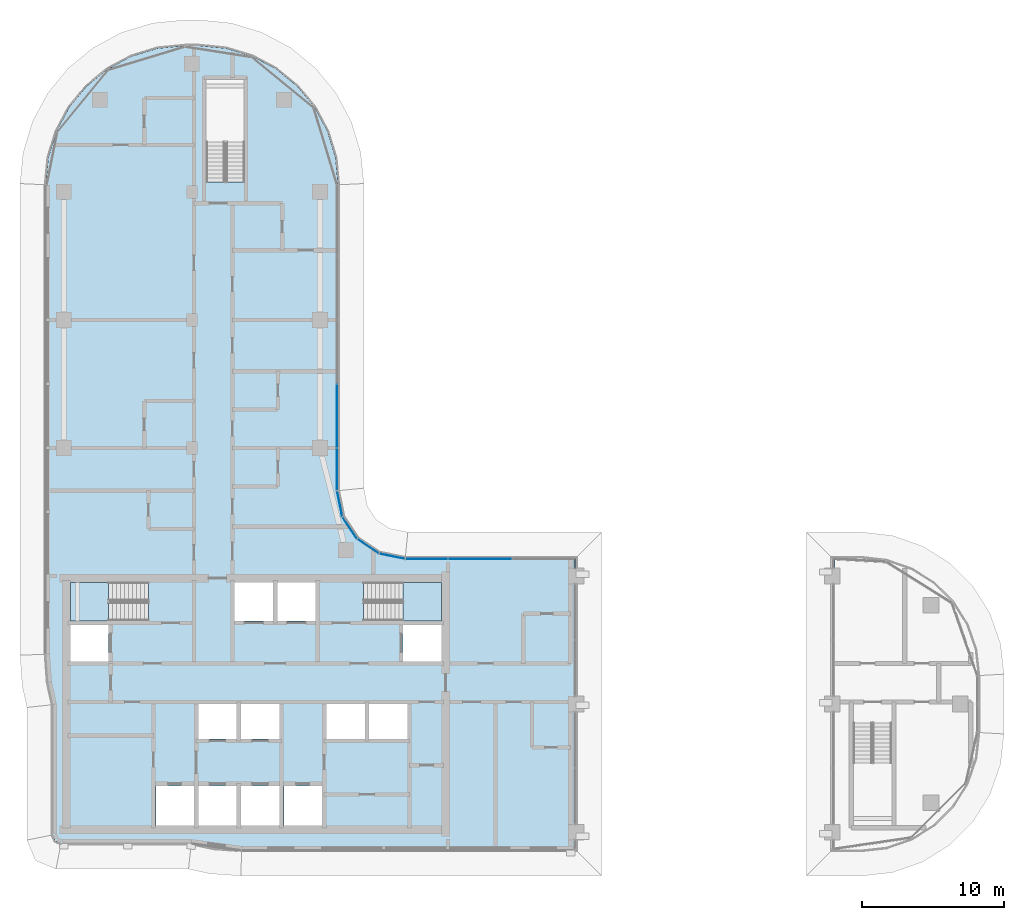
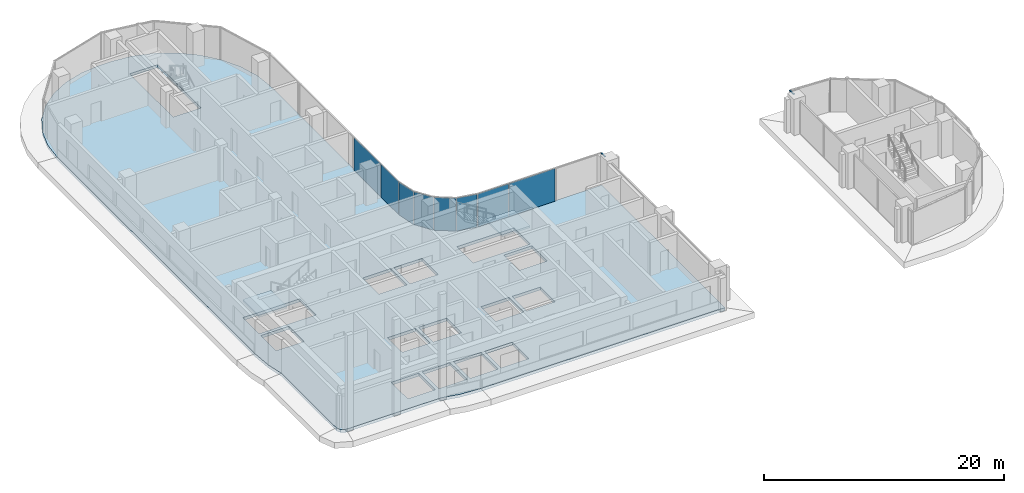
# One storey, part 8 of 27: 8 plates, 3 slabs, 2 members, 7 elements without a shape of their own.
"""IFC4 building model written with IfcOpenShell, lengths in metres."""

from ifc_helpers import new_model, si_unit, direction, frame, origin, origin_2d, place, context, subcontext, project, spatial, polyline, rectangle, outline, extrude, material, layer, layer_set, material_profile, profile_set, type_object, element, aggregate, save


model = new_model("IFC4")

# Units and contexts
model_context = context("Model", 3, precision=1e-05, world=origin(), true_north=direction((0.0, 1.0)))
body_context = subcontext(model_context, "Body", "Model", "MODEL_VIEW")
ifc_project = project(units=[si_unit("LENGTHUNIT", "METRE"), si_unit("AREAUNIT", "SQUARE_METRE"), si_unit("VOLUMEUNIT", "CUBIC_METRE"), si_unit("PLANEANGLEUNIT", "RADIAN"), si_unit("MASSUNIT", "GRAM", prefix="KILO")], contexts=[model_context])

# Site, building, storey
site_placement = place(None, origin())
site = spatial("IfcSite", under=ifc_project, at=site_placement, CompositionType="ELEMENT")
building_placement = place(site_placement, origin())
building = spatial("IfcBuilding", under=site, at=building_placement, Name="Ogive Portal Towers", CompositionType="ELEMENT")
storey_placement = place(building_placement, frame((0.0, 0.0, 160.699951171875)))
storey = spatial("IfcBuildingStorey", under=building, at=storey_placement, Name="L39", CompositionType="ELEMENT", Elevation=160.699951171875)

# Curtain wall, member
ifc_material_1 = material(Name="Glass, clear low-iron insulated glazing", Category="glass")
curtain_wall_type_1 = type_object("IfcCurtainWallType", Name="CW PORTAL REVEAL", PredefinedType="NOTDEFINED", material=ifc_material_1)
curtain_wall_1_placement = place(storey_placement, origin())
curtain_wall_1 = element("IfcCurtainWall", 1, at=curtain_wall_1_placement, inside=storey, type_object=curtain_wall_type_1, Name="A:L39:f06:cw0~3", PredefinedType="NOTDEFINED")
ifc_material_2 = material(Name="Aluminium 6063 anodised", Category="aluminium")
ifc_material_profile = material_profile(ifc_material_2, rectangle(XDim=0.1201171875, YDim=0.06005859375, at=origin_2d()), Name="AL 120x60")
ifc_profile_set = profile_set([ifc_material_profile], Name="Aluminium 6063 anodised")
member_type = type_object("IfcMemberType", Name="CW TRANSOM 60x120", PredefinedType="USERDEFINED", material=ifc_profile_set)
member_1_placement = place(storey_placement, frame((67.419921875, 40.050048828125, 3.3701171875), z_axis=(0.0, 1.0, 0.0), x_axis=(-1.0, 0.0, 0.0)))
member_1 = element("IfcMember", 2, at=member_1_placement, type_object=member_type, Name="transom", ObjectType="TRANSOM", PredefinedType="USERDEFINED", context=body_context, shape_type="SweptSolid", body=[
    extrude(rectangle(XDim=0.1201171875, YDim=0.06005859375, at=origin_2d()), origin(), (0.0, 0.0, 1.0), 0.655029296875),
])
aggregate(curtain_wall_1, [member_1])

curtain_wall_2_placement = place(storey_placement, origin())
curtain_wall_2 = element("IfcCurtainWall", 3, at=curtain_wall_2_placement, inside=storey, type_object=curtain_wall_type_1, Name="A:L39:f22:cw0~0", PredefinedType="NOTDEFINED")
member_2_placement = place(storey_placement, frame((85.580078125, 40.700439453125, 3.3701171875), z_axis=(0.0, -1.0, 0.0), x_axis=(1.0, 0.0, 0.0)))
member_2 = element("IfcMember", 4, at=member_2_placement, type_object=member_type, Name="transom", ObjectType="TRANSOM", PredefinedType="USERDEFINED", context=body_context, shape_type="SweptSolid", body=[
    extrude(rectangle(XDim=0.1201171875, YDim=0.06005859375, at=origin_2d()), origin(), (0.0, 0.0, 1.0), 0.650390625),
])
aggregate(curtain_wall_2, [member_2])

# Curtain wall, plates
curtain_wall_type_2 = type_object("IfcCurtainWallType", Name="CW FRONT RIBBON 4500", PredefinedType="NOTDEFINED", material=ifc_material_1)
curtain_wall_3_placement = place(storey_placement, origin())
curtain_wall_3 = element("IfcCurtainWall", 5, at=curtain_wall_3_placement, inside=storey, type_object=curtain_wall_type_2, Name="A:L39:f07:cw0", PredefinedType="NOTDEFINED")
ifc_layer_1 = layer(ifc_material_1, 0.028076171875)
ifc_layer_set_1 = layer_set([ifc_layer_1], Name="CW PANEL IGU 28")
plate_type = type_object("IfcPlateType", Name="CW PANEL IGU 28", PredefinedType="CURTAIN_PANEL", material=ifc_layer_set_1)
plate_1_placement = place(storey_placement, frame((60.75, 40.705078125, 0.0), z_axis=(0.0, 0.0, 1.0), x_axis=(-1.0, 0.0, 0.0)))
plate_1 = element("IfcPlate", 6, at=plate_1_placement, type_object=plate_type, Name="panel", PredefinedType="CURTAIN_PANEL", context=body_context, shape_type="SweptSolid", body=[
    extrude(rectangle(XDim=4.43994140625, YDim=0.028076171875, at=origin_2d()), origin(), (0.0, 0.0, 1.0), 3.340087890625),
])
plate_2_placement = place(storey_placement, frame((56.99609375, 40.705078125, 0.0), z_axis=(0.0, 0.0, 1.0), x_axis=(-1.0, 0.0, 0.0)))
plate_2 = element("IfcPlate", 7, at=plate_2_placement, type_object=plate_type, Name="panel", PredefinedType="CURTAIN_PANEL", context=body_context, shape_type="SweptSolid", body=[
    extrude(rectangle(XDim=2.947998046875, YDim=0.028076171875, at=origin_2d()), origin(), (0.0, 0.0, 1.0), 3.340087890625),
])
aggregate(curtain_wall_3, [plate_1, plate_2])

curtain_wall_4_placement = place(storey_placement, origin())
curtain_wall_4 = element("IfcCurtainWall", 8, at=curtain_wall_4_placement, inside=storey, type_object=curtain_wall_type_2, Name="A:L39:f12:cw0", PredefinedType="NOTDEFINED")
plate_3_placement = place(storey_placement, frame((50.705078125, 46.99609375, 0.0), z_axis=(0.0, 0.0, 1.0), x_axis=(0.0, 1.0, 0.0)))
plate_3 = element("IfcPlate", 9, at=plate_3_placement, type_object=plate_type, Name="panel", PredefinedType="CURTAIN_PANEL", context=body_context, shape_type="SweptSolid", body=[
    extrude(rectangle(XDim=2.947998046875, YDim=0.028076171875, at=origin_2d()), origin(), (0.0, 0.0, 1.0), 3.340087890625),
])
plate_4_placement = place(storey_placement, frame((50.705078125, 50.75, 0.0), z_axis=(0.0, 0.0, 1.0), x_axis=(0.0, 1.0, 0.0)))
plate_4 = element("IfcPlate", 10, at=plate_4_placement, type_object=plate_type, Name="panel", PredefinedType="CURTAIN_PANEL", context=body_context, shape_type="SweptSolid", body=[
    extrude(rectangle(XDim=4.43994140625, YDim=0.028076171875, at=origin_2d()), origin(), (0.0, 0.0, 1.0), 3.340087890625),
])
aggregate(curtain_wall_4, [plate_3, plate_4])

curtain_wall_5_placement = place(storey_placement, origin())
curtain_wall_5 = element("IfcCurtainWall", 11, at=curtain_wall_5_placement, inside=storey, type_object=curtain_wall_type_2, Name="A:L39:f08:cwa", PredefinedType="NOTDEFINED")
plate_5_placement = place(storey_placement, frame((54.578369140625, 40.88671875, 0.0), z_axis=(0.0, 0.0, 1.0), x_axis=(-0.980785280403, 0.195090322016, 0.0)))
plate_5 = element("IfcPlate", 12, at=plate_5_placement, type_object=plate_type, Name="panel", PredefinedType="CURTAIN_PANEL", context=body_context, shape_type="SweptSolid", body=[
    extrude(rectangle(XDim=1.803466796875, YDim=0.028076171875, at=origin_2d()), origin(), (0.0, 0.0, 1.0), 3.340087890625),
])
plate_6_placement = place(storey_placement, frame((52.886474609375, 41.58837890625, 0.0), z_axis=(0.0, 0.0, 1.0), x_axis=(-0.831469612303, 0.55557023302, 0.0)))
plate_6 = element("IfcPlate", 13, at=plate_6_placement, type_object=plate_type, Name="panel", PredefinedType="CURTAIN_PANEL", context=body_context, shape_type="SweptSolid", body=[
    extrude(rectangle(XDim=1.8115234375, YDim=0.028076171875, at=origin_2d()), origin(), (0.0, 0.0, 1.0), 3.340087890625),
])
plate_7_placement = place(storey_placement, frame((51.58837890625, 42.886474609375, 0.0), z_axis=(0.0, 0.0, 1.0), x_axis=(-0.55557023302, 0.831469612303, 0.0)))
plate_7 = element("IfcPlate", 14, at=plate_7_placement, type_object=plate_type, Name="panel", PredefinedType="CURTAIN_PANEL", context=body_context, shape_type="SweptSolid", body=[
    extrude(rectangle(XDim=1.8115234375, YDim=0.028076171875, at=origin_2d()), origin(), (0.0, 0.0, 1.0), 3.340087890625),
])
plate_8_placement = place(storey_placement, frame((50.88671875, 44.578369140625, 0.0), z_axis=(0.0, 0.0, 1.0), x_axis=(-0.195090322016, 0.980785280403, 0.0)))
plate_8 = element("IfcPlate", 15, at=plate_8_placement, type_object=plate_type, Name="panel", PredefinedType="CURTAIN_PANEL", context=body_context, shape_type="SweptSolid", body=[
    extrude(rectangle(XDim=1.803466796875, YDim=0.028076171875, at=origin_2d()), origin(), (0.0, 0.0, 1.0), 3.340087890625),
])
aggregate(curtain_wall_5, [plate_5, plate_6, plate_7, plate_8])

# Stair, slab
ifc_material_3 = material(Name="Concrete C40/50", Category="concrete")
stair_type = type_object("IfcStairType", Name="INT-STAIR", PredefinedType="HALF_TURN_STAIR", material=ifc_material_3)
stair_1_placement = place(storey_placement, origin())
stair_1 = element("IfcStair", 16, at=stair_1_placement, inside=storey, type_object=stair_type, Name="L39 Exit Stair ST-A1", PredefinedType="HALF_TURN_STAIR")
ifc_layer_2 = layer(ifc_material_3, 0.199951171875)
ifc_layer_set_2 = layer_set([ifc_layer_2], Name="INT-LANDING")
slab_type_1 = type_object("IfcSlabType", Name="INT-LANDING", PredefinedType="LANDING", material=ifc_layer_set_2)
slab_1_placement = place(storey_placement, frame((0.0, 0.0, 1.650146484375)))
slab_1 = element("IfcSlab", 17, at=slab_1_placement, type_object=slab_type_1, Name="ST-A1 landing 1", PredefinedType="LANDING", context=body_context, shape_type="SweptSolid", body=[
    extrude(outline(polyline([(34.64990234375, 39.050048828125), (31.949951171875, 39.050048828125), (31.949951171875, 36.35009765625), (34.64990234375, 36.35009765625), (34.64990234375, 39.050048828125)])), origin(), (0.0, 0.0, 1.0), 0.199951171875),
])
aggregate(stair_1, [slab_1])

stair_2_placement = place(storey_placement, origin())
stair_2 = element("IfcStair", 18, at=stair_2_placement, inside=storey, type_object=stair_type, Name="L39 Exit Stair ST-A2", PredefinedType="HALF_TURN_STAIR")
slab_2_placement = place(storey_placement, frame((0.0, 0.0, 1.650146484375)))
slab_2 = element("IfcSlab", 19, at=slab_2_placement, type_object=slab_type_1, Name="ST-A2 landing 1", PredefinedType="LANDING", context=body_context, shape_type="SweptSolid", body=[
    extrude(outline(polyline([(55.35009765625, 36.35009765625), (58.050048828125, 36.35009765625), (58.050048828125, 39.050048828125), (55.35009765625, 39.050048828125), (55.35009765625, 36.35009765625)])), origin(), (0.0, 0.0, 1.0), 0.199951171875),
])
aggregate(stair_2, [slab_2])

# Slab
ifc_material_4 = material(Name="Concrete C45/55", Category="concrete")
ifc_layer_3 = layer(ifc_material_4, 0.300048828125)
ifc_layer_set_3 = layer_set([ifc_layer_3], Name="PT FLAT PLATE 300")
slab_type_2 = type_object("IfcSlabType", Name="PT FLAT PLATE 300", PredefinedType="FLOOR", material=ifc_layer_set_3)
slab_3_placement = place(storey_placement, frame((0.0, 0.0, -0.300048828125)))
element("IfcSlab", 20, at=slab_3_placement, inside=storey, type_object=slab_type_2, Name="Floor slab L39", PredefinedType="FLOOR", context=body_context, shape_type="SweptSolid", body=[
    extrude(outline(polyline([(30.215087890625, 67.0), (30.215087890625, 34.0), (30.355224609375, 32.0380859375), (30.699951171875, 30.45361328125), (30.699951171875, 21.300048828125), (30.875732421875, 20.875732421875), (31.300048828125, 20.699951171875), (40.45361328125, 20.699951171875), (42.0380859375, 20.355224609375), (44.0, 20.215087890625), (67.5, 20.215087890625), (67.5, 40.784912109375), (55.5, 40.784912109375), (53.695556640625, 41.143798828125), (52.166015625, 42.166015625), (51.143798828125, 43.695556640625), (50.784912109375, 45.5), (50.784912109375, 67.0), (50.596923828125, 68.908935546875), (50.040283203125, 70.74462890625), (49.135986328125, 72.436279296875), (47.9189453125, 73.9189453125), (46.436279296875, 75.135986328125), (44.74462890625, 76.040283203125), (42.908935546875, 76.596923828125), (41.0, 76.784912109375), (40.0, 76.784912109375), (38.091064453125, 76.596923828125), (36.25537109375, 76.040283203125), (34.563720703125, 75.135986328125), (33.0810546875, 73.9189453125), (31.864013671875, 72.436279296875), (30.959716796875, 70.74462890625), (30.403076171875, 68.908935546875), (30.215087890625, 67.0)]), holes=[polyline([(40.6298828125, 21.969970703125), (37.969970703125, 21.969970703125), (37.969970703125, 24.72998046875), (40.6298828125, 24.72998046875), (40.6298828125, 21.969970703125)]), polyline([(43.64990234375, 24.75), (43.64990234375, 21.949951171875), (40.949951171875, 21.949951171875), (40.949951171875, 24.75), (43.64990234375, 24.75)]), polyline([(46.64990234375, 24.75), (46.64990234375, 21.949951171875), (43.949951171875, 21.949951171875), (43.949951171875, 24.75), (46.64990234375, 24.75)]), polyline([(43.64990234375, 30.5), (43.64990234375, 28.050048828125), (40.949951171875, 28.050048828125), (40.949951171875, 30.5), (43.64990234375, 30.5)]), polyline([(34.64990234375, 36.050048828125), (34.64990234375, 33.5), (31.949951171875, 33.5), (31.949951171875, 36.050048828125), (34.64990234375, 36.050048828125)]), polyline([(31.951904296875, 39.048095703125), (37.447998046875, 39.048095703125), (37.447998046875, 36.35205078125), (31.951904296875, 36.35205078125), (31.951904296875, 39.048095703125)]), polyline([(46.199951171875, 39.050048828125), (46.199951171875, 36.35009765625), (43.5, 36.35009765625), (43.5, 39.050048828125), (46.199951171875, 39.050048828125)]), polyline([(44.197998046875, 74.447998046875), (44.197998046875, 67.201904296875), (41.501953125, 67.201904296875), (41.501953125, 74.447998046875), (44.197998046875, 74.447998046875)]), polyline([(49.6298828125, 21.969970703125), (46.969970703125, 21.969970703125), (46.969970703125, 24.72998046875), (49.6298828125, 24.72998046875), (49.6298828125, 21.969970703125)]), polyline([(46.64990234375, 30.5), (46.64990234375, 28.050048828125), (43.949951171875, 28.050048828125), (43.949951171875, 30.5), (46.64990234375, 30.5)]), polyline([(52.64990234375, 30.5), (52.64990234375, 28.050048828125), (49.949951171875, 28.050048828125), (49.949951171875, 30.5), (52.64990234375, 30.5)]), polyline([(55.64990234375, 30.5), (55.64990234375, 28.050048828125), (52.949951171875, 28.050048828125), (52.949951171875, 30.5), (55.64990234375, 30.5)]), polyline([(58.050048828125, 36.050048828125), (58.050048828125, 33.5), (55.35009765625, 33.5), (55.35009765625, 36.050048828125), (58.050048828125, 36.050048828125)]), polyline([(49.199951171875, 39.050048828125), (49.199951171875, 36.35009765625), (46.5, 36.35009765625), (46.5, 39.050048828125), (49.199951171875, 39.050048828125)]), polyline([(58.048095703125, 36.35205078125), (52.552001953125, 36.35205078125), (52.552001953125, 39.048095703125), (58.048095703125, 39.048095703125), (58.048095703125, 36.35205078125)])]), origin(), (0.0, 0.0, 1.0), 0.300048828125),
])

save(model, "model.ifc")
